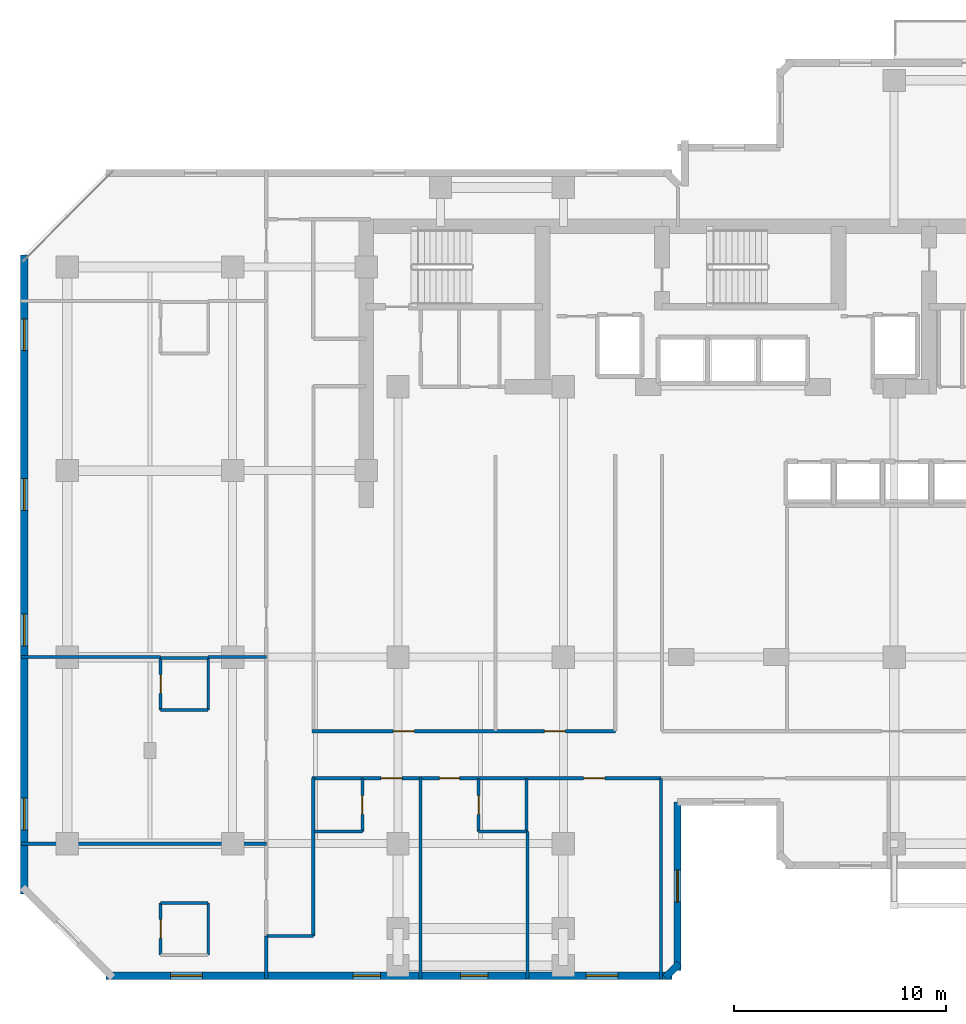
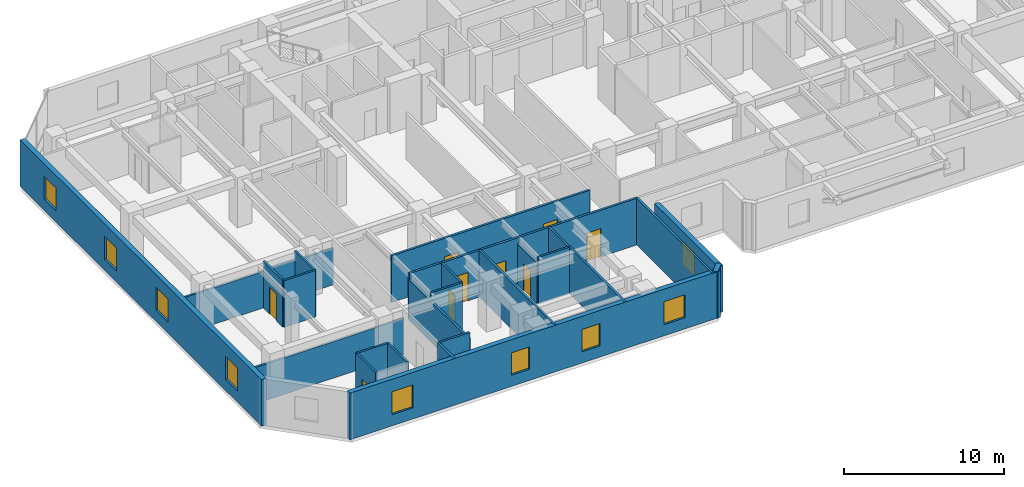
# One storey, part 5 of 10: 27 walls, 9 doors, 9 windows, 18 openings.
"""IFC4 building model written with IfcOpenShell, lengths in metres."""

from ifc_helpers import new_model, si_unit, direction, frame, frame_2d, origin, place, context, subcontext, project, spatial, rectangle, extrude, material, layer, layer_set, type_object, element, fill, save


model = new_model("IFC4")

# Units and contexts
model_context = context("Model", 3, precision=1e-05, world=origin(), true_north=direction((0.0, 1.0)))
body_context = subcontext(model_context, "Body", "Model", "MODEL_VIEW")
ifc_project = project(units=[si_unit("LENGTHUNIT", "METRE"), si_unit("AREAUNIT", "SQUARE_METRE"), si_unit("VOLUMEUNIT", "CUBIC_METRE"), si_unit("PLANEANGLEUNIT", "RADIAN"), si_unit("MASSUNIT", "GRAM", prefix="KILO")], contexts=[model_context])

# Site, building, storey
site_placement = place(None, origin())
site = spatial("IfcSite", under=ifc_project, at=site_placement, CompositionType="ELEMENT")
building_placement = place(site_placement, origin())
building = spatial("IfcBuilding", under=site, at=building_placement, Name="Kestravale Grand Hotel", CompositionType="ELEMENT")
storey_placement = place(building_placement, frame((0.0, 0.0, 153.60009765625)))
storey = spatial("IfcBuildingStorey", under=building, at=storey_placement, Name="L38", CompositionType="ELEMENT", Elevation=153.60009765625)

# Wall, openings, windows
ifc_material_1 = material(Name="Precast concrete f'c 45 MPa", Category="concrete")
ifc_layer_1 = layer(ifc_material_1, 0.340087890625)
ifc_layer_set_1 = layer_set([ifc_layer_1], Name="EW-PREC-340")
wall_type_1 = type_object("IfcWallType", Name="EW-PREC-340", PredefinedType="SOLIDWALL", material=ifc_layer_set_1)
wall_1_placement = place(storey_placement, frame((9.6298828125, 4.969970703125, 0.0), z_axis=(0.0, 0.0, 1.0), x_axis=(1.0, 0.0, 0.0)))
wall_1 = element("IfcWall", 1, at=wall_1_placement, inside=storey, type_object=wall_type_1, Name="L38 fluted precast facade wall 1", PredefinedType="SOLIDWALL", context=body_context, shape_type="SweptSolid", body=[
    extrude(rectangle(XDim=26.690185546875, YDim=0.340087890625, at=frame_2d((13.34521484375, 0.0))), origin(), (0.0, 0.0, 1.0), 3.5498046875),
])
opening_1_placement = place(wall_1_placement, frame((3.04833984375, 0.0, 0.85009765625)))
opening_1 = element("IfcOpeningElement", 2, at=opening_1_placement, cuts=wall_1, Name="Opening W-GUEST-1500", PredefinedType="OPENING", context=body_context, shape_type="SweptSolid", body=[
    extrude(rectangle(XDim=1.5, YDim=1.75, at=frame_2d((0.75, 0.875))), frame((0.0, 0.179931640625, 0.0), z_axis=(0.0, -1.0, 0.0), x_axis=(1.0, 0.0, 0.0)), (0.0, 0.0, 1.0), 0.360107421875),
])
opening_2_placement = place(wall_1_placement, frame((22.6416015625, 0.0, 0.85009765625)))
opening_2 = element("IfcOpeningElement", 3, at=opening_2_placement, cuts=wall_1, Name="Opening W-GUEST-1500", PredefinedType="OPENING", context=body_context, shape_type="SweptSolid", body=[
    extrude(rectangle(XDim=1.5, YDim=1.75, at=frame_2d((0.75, 0.875))), frame((0.0, 0.179931640625, 0.0), z_axis=(0.0, -1.0, 0.0), x_axis=(1.0, 0.0, 0.0)), (0.0, 0.0, 1.0), 0.360107421875),
])
opening_3_placement = place(wall_1_placement, frame((11.655029296875, 0.0, 0.85009765625)))
opening_3 = element("IfcOpeningElement", 4, at=opening_3_placement, cuts=wall_1, Name="Opening W-GUEST-1300", PredefinedType="OPENING", context=body_context, shape_type="SweptSolid", body=[
    extrude(rectangle(XDim=1.300048828125, YDim=1.699951171875, at=frame_2d((0.64990234375, 0.85009765625))), frame((0.0, 0.179931640625, 0.0), z_axis=(0.0, -1.0, 0.0), x_axis=(1.0, 0.0, 0.0)), (0.0, 0.0, 1.0), 0.360107421875),
])
opening_4_placement = place(wall_1_placement, frame((16.715087890625, 0.0, 0.85009765625)))
opening_4 = element("IfcOpeningElement", 5, at=opening_4_placement, cuts=wall_1, Name="Opening W-GUEST-1300", PredefinedType="OPENING", context=body_context, shape_type="SweptSolid", body=[
    extrude(rectangle(XDim=1.300048828125, YDim=1.699951171875, at=frame_2d((0.64990234375, 0.85009765625))), frame((0.0, 0.179931640625, 0.0), z_axis=(0.0, -1.0, 0.0), x_axis=(1.0, 0.0, 0.0)), (0.0, 0.0, 1.0), 0.360107421875),
])
ifc_material_2 = material(Name="Insulated low-E double glazing in aluminium frame", Category="aluminium")
window_type_1 = type_object("IfcWindowType", Name="W-GUEST-1300", PartitioningType="SINGLE_PANEL", PredefinedType="WINDOW", material=ifc_material_2)
window_1_placement = place(opening_3_placement, origin())
window_1 = element("IfcWindow", 6, at=window_1_placement, inside=storey, type_object=window_type_1, Name="L38 guestroom envelope window 1", OverallHeight=1.699951171875, OverallWidth=1.300048828125, PartitioningType="SINGLE_PANEL", PredefinedType="WINDOW", context=body_context, shape_type="SweptSolid", body=[
    extrude(rectangle(XDim=1.300048828125, YDim=1.699951171875, at=frame_2d((0.64990234375, 0.85009765625))), frame((0.0, 0.030029296875, 0.0), z_axis=(0.0, -1.0, 0.0), x_axis=(1.0, 0.0, 0.0)), (0.0, 0.0, 1.0), 0.06005859375),
])
fill(opening_3, window_1)
window_2_placement = place(opening_4_placement, origin())
window_2 = element("IfcWindow", 7, at=window_2_placement, inside=storey, type_object=window_type_1, Name="L38 guestroom envelope window 2", OverallHeight=1.699951171875, OverallWidth=1.300048828125, PartitioningType="SINGLE_PANEL", PredefinedType="WINDOW", context=body_context, shape_type="SweptSolid", body=[
    extrude(rectangle(XDim=1.300048828125, YDim=1.699951171875, at=frame_2d((0.64990234375, 0.85009765625))), frame((0.0, 0.030029296875, 0.0), z_axis=(0.0, -1.0, 0.0), x_axis=(1.0, 0.0, 0.0)), (0.0, 0.0, 1.0), 0.06005859375),
])
fill(opening_4, window_2)
ifc_material_3 = material(Name="Insulated low-E double glazing in aluminium frame", Category="aluminium")
window_type_2 = type_object("IfcWindowType", Name="W-GUEST-1500", PartitioningType="SINGLE_PANEL", PredefinedType="WINDOW", material=ifc_material_3)
window_3_placement = place(opening_1_placement, origin())
window_3 = element("IfcWindow", 8, at=window_3_placement, inside=storey, type_object=window_type_2, Name="L38 exterior window 1.1", OverallHeight=1.75, OverallWidth=1.5, PartitioningType="SINGLE_PANEL", PredefinedType="WINDOW", context=body_context, shape_type="SweptSolid", body=[
    extrude(rectangle(XDim=1.5, YDim=1.75, at=frame_2d((0.75, 0.875))), frame((0.0, 0.030029296875, 0.0), z_axis=(0.0, -1.0, 0.0), x_axis=(1.0, 0.0, 0.0)), (0.0, 0.0, 1.0), 0.06005859375),
])
fill(opening_1, window_3)
window_4_placement = place(opening_2_placement, origin())
window_4 = element("IfcWindow", 9, at=window_4_placement, inside=storey, type_object=window_type_2, Name="L38 exterior window 1.2", OverallHeight=1.75, OverallWidth=1.5, PartitioningType="SINGLE_PANEL", PredefinedType="WINDOW", context=body_context, shape_type="SweptSolid", body=[
    extrude(rectangle(XDim=1.5, YDim=1.75, at=frame_2d((0.75, 0.875))), frame((0.0, 0.030029296875, 0.0), z_axis=(0.0, -1.0, 0.0), x_axis=(1.0, 0.0, 0.0)), (0.0, 0.0, 1.0), 0.06005859375),
])
fill(opening_2, window_4)

# Wall
wall_2_placement = place(storey_placement, frame((36.00146484375, 4.891845703125, 0.0), z_axis=(0.0, 0.0, 1.0), x_axis=(0.707106781187, 0.707106781187, 0.0)))
element("IfcWall", 10, at=wall_2_placement, inside=storey, type_object=wall_type_1, Name="L38 fluted precast facade wall 2", PredefinedType="SOLIDWALL", context=body_context, shape_type="SweptSolid", body=[
    extrude(rectangle(XDim=0.9287109375, YDim=0.340087890625, at=frame_2d((0.46435546875, 0.0))), origin(), (0.0, 0.0, 1.0), 3.5498046875),
])

# Wall, opening, window
wall_3_placement = place(storey_placement, frame((36.580078125, 5.22998046875, 0.0), z_axis=(0.0, 0.0, 1.0), x_axis=(0.0, 1.0, 0.0)))
wall_3 = element("IfcWall", 11, at=wall_3_placement, inside=storey, type_object=wall_type_1, Name="L38 fluted precast facade wall 3", PredefinedType="SOLIDWALL", context=body_context, shape_type="SweptSolid", body=[
    extrude(rectangle(XDim=7.93994140625, YDim=0.340087890625, at=frame_2d((3.969970703125, 0.0))), origin(), (0.0, 0.0, 1.0), 3.5498046875),
])
opening_5_placement = place(wall_3_placement, frame((3.219970703125, 0.0, 0.85009765625)))
opening_5 = element("IfcOpeningElement", 12, at=opening_5_placement, cuts=wall_3, Name="Opening W-GUEST-1500", PredefinedType="OPENING", context=body_context, shape_type="SweptSolid", body=[
    extrude(rectangle(XDim=1.5, YDim=1.75, at=frame_2d((0.75, 0.875))), frame((0.0, 0.179931640625, 0.0), z_axis=(0.0, -1.0, 0.0), x_axis=(1.0, 0.0, 0.0)), (0.0, 0.0, 1.0), 0.360107421875),
])
window_5_placement = place(opening_5_placement, origin())
window_5 = element("IfcWindow", 13, at=window_5_placement, inside=storey, type_object=window_type_2, Name="L38 exterior window 3.1", OverallHeight=1.75, OverallWidth=1.5, PartitioningType="SINGLE_PANEL", PredefinedType="WINDOW", context=body_context, shape_type="SweptSolid", body=[
    extrude(rectangle(XDim=1.5, YDim=1.75, at=frame_2d((0.75, 0.875))), frame((0.0, 0.030029296875, 0.0), z_axis=(0.0, -1.0, 0.0), x_axis=(1.0, 0.0, 0.0)), (0.0, 0.0, 1.0), 0.06005859375),
])
fill(opening_5, window_5)

# Wall, openings, windows
wall_4_placement = place(storey_placement, frame((5.77001953125, 38.969970703125, 0.0), z_axis=(0.0, 0.0, 1.0), x_axis=(0.0, -1.0, 0.0)))
wall_4 = element("IfcWall", 14, at=wall_4_placement, inside=storey, type_object=wall_type_1, Name="L38 fluted precast facade wall 19", PredefinedType="SOLIDWALL", context=body_context, shape_type="SweptSolid", body=[
    extrude(rectangle(XDim=30.139892578125, YDim=0.340087890625, at=frame_2d((15.06982421875, 0.0))), origin(), (0.0, 0.0, 1.0), 3.5498046875),
])
opening_6_placement = place(wall_4_placement, frame((3.017578125, 0.0, 0.85009765625)))
opening_6 = element("IfcOpeningElement", 15, at=opening_6_placement, cuts=wall_4, Name="Opening W-GUEST-1500", PredefinedType="OPENING", context=body_context, shape_type="SweptSolid", body=[
    extrude(rectangle(XDim=1.5, YDim=1.75, at=frame_2d((0.75, 0.875))), frame((0.0, 0.179931640625, 0.0), z_axis=(0.0, -1.0, 0.0), x_axis=(1.0, 0.0, 0.0)), (0.0, 0.0, 1.0), 0.360107421875),
])
opening_7_placement = place(wall_4_placement, frame((10.552490234375, 0.0, 0.85009765625)))
opening_7 = element("IfcOpeningElement", 16, at=opening_7_placement, cuts=wall_4, Name="Opening W-GUEST-1500", PredefinedType="OPENING", context=body_context, shape_type="SweptSolid", body=[
    extrude(rectangle(XDim=1.5, YDim=1.75, at=frame_2d((0.75, 0.875))), frame((0.0, 0.179931640625, 0.0), z_axis=(0.0, -1.0, 0.0), x_axis=(1.0, 0.0, 0.0)), (0.0, 0.0, 1.0), 0.360107421875),
])
opening_8_placement = place(wall_4_placement, frame((16.9375, 0.0, 0.85009765625)))
opening_8 = element("IfcOpeningElement", 17, at=opening_8_placement, cuts=wall_4, Name="Opening W-GUEST-1500", PredefinedType="OPENING", context=body_context, shape_type="SweptSolid", body=[
    extrude(rectangle(XDim=1.5, YDim=1.75, at=frame_2d((0.75, 0.875))), frame((0.0, 0.179931640625, 0.0), z_axis=(0.0, -1.0, 0.0), x_axis=(1.0, 0.0, 0.0)), (0.0, 0.0, 1.0), 0.360107421875),
])
opening_9_placement = place(wall_4_placement, frame((25.62255859375, 0.0, 0.85009765625)))
opening_9 = element("IfcOpeningElement", 18, at=opening_9_placement, cuts=wall_4, Name="Opening W-GUEST-1500", PredefinedType="OPENING", context=body_context, shape_type="SweptSolid", body=[
    extrude(rectangle(XDim=1.5, YDim=1.75, at=frame_2d((0.75, 0.875))), frame((0.0, 0.179931640625, 0.0), z_axis=(0.0, -1.0, 0.0), x_axis=(1.0, 0.0, 0.0)), (0.0, 0.0, 1.0), 0.360107421875),
])
window_6_placement = place(opening_6_placement, origin())
window_6 = element("IfcWindow", 19, at=window_6_placement, inside=storey, type_object=window_type_2, Name="L38 exterior window 19.1", OverallHeight=1.75, OverallWidth=1.5, PartitioningType="SINGLE_PANEL", PredefinedType="WINDOW", context=body_context, shape_type="SweptSolid", body=[
    extrude(rectangle(XDim=1.5, YDim=1.75, at=frame_2d((0.75, 0.875))), frame((0.0, 0.030029296875, 0.0), z_axis=(0.0, -1.0, 0.0), x_axis=(1.0, 0.0, 0.0)), (0.0, 0.0, 1.0), 0.06005859375),
])
fill(opening_6, window_6)
window_7_placement = place(opening_7_placement, origin())
window_7 = element("IfcWindow", 20, at=window_7_placement, inside=storey, type_object=window_type_2, Name="L38 exterior window 19.2", OverallHeight=1.75, OverallWidth=1.5, PartitioningType="SINGLE_PANEL", PredefinedType="WINDOW", context=body_context, shape_type="SweptSolid", body=[
    extrude(rectangle(XDim=1.5, YDim=1.75, at=frame_2d((0.75, 0.875))), frame((0.0, 0.030029296875, 0.0), z_axis=(0.0, -1.0, 0.0), x_axis=(1.0, 0.0, 0.0)), (0.0, 0.0, 1.0), 0.06005859375),
])
fill(opening_7, window_7)
window_8_placement = place(opening_8_placement, origin())
window_8 = element("IfcWindow", 21, at=window_8_placement, inside=storey, type_object=window_type_2, Name="L38 exterior window 19.3", OverallHeight=1.75, OverallWidth=1.5, PartitioningType="SINGLE_PANEL", PredefinedType="WINDOW", context=body_context, shape_type="SweptSolid", body=[
    extrude(rectangle(XDim=1.5, YDim=1.75, at=frame_2d((0.75, 0.875))), frame((0.0, 0.030029296875, 0.0), z_axis=(0.0, -1.0, 0.0), x_axis=(1.0, 0.0, 0.0)), (0.0, 0.0, 1.0), 0.06005859375),
])
fill(opening_8, window_8)
window_9_placement = place(opening_9_placement, origin())
window_9 = element("IfcWindow", 22, at=window_9_placement, inside=storey, type_object=window_type_2, Name="L38 exterior window 19.4", OverallHeight=1.75, OverallWidth=1.5, PartitioningType="SINGLE_PANEL", PredefinedType="WINDOW", context=body_context, shape_type="SweptSolid", body=[
    extrude(rectangle(XDim=1.5, YDim=1.75, at=frame_2d((0.75, 0.875))), frame((0.0, 0.030029296875, 0.0), z_axis=(0.0, -1.0, 0.0), x_axis=(1.0, 0.0, 0.0)), (0.0, 0.0, 1.0), 0.06005859375),
])
fill(opening_9, window_9)

# Wall, openings, doors
ifc_material_4 = material(Name="Acoustic fire-rated gypsum board partition", Category="other")
ifc_layer_2 = layer(ifc_material_4, 0.159912109375)
ifc_layer_set_2 = layer_set([ifc_layer_2], Name="IW-CORR-160")
wall_type_2 = type_object("IfcWallType", Name="IW-CORR-160", PredefinedType="PARTITIONING", material=ifc_layer_set_2)
wall_5_placement = place(storey_placement, frame((19.35009765625, 16.510009765625, 0.0), z_axis=(0.0, 0.0, 1.0), x_axis=(1.0, 0.0, 0.0)))
wall_5 = element("IfcWall", 23, at=wall_5_placement, inside=storey, type_object=wall_type_2, Name="W-L38-CW-N", PredefinedType="PARTITIONING", context=body_context, shape_type="SweptSolid", body=[
    extrude(rectangle(XDim=14.2998046875, YDim=0.159912109375, at=frame_2d((7.14990234375, 0.0))), origin(), (0.0, 0.0, 1.0), 3.5498046875),
])
opening_10_placement = place(wall_5_placement, frame((3.824951171875, 0.0, 0.0)))
opening_10 = element("IfcOpeningElement", 24, at=opening_10_placement, cuts=wall_5, Name="Opening D-GUEST-1000", PredefinedType="OPENING", context=body_context, shape_type="SweptSolid", body=[
    extrude(rectangle(XDim=1.0, YDim=2.14990234375, at=frame_2d((0.5, 1.074951171875))), frame((0.0, 0.08984375, 0.0), z_axis=(0.0, -1.0, 0.0), x_axis=(1.0, 0.0, 0.0)), (0.0, 0.0, 1.0), 0.179931640625),
])
opening_11_placement = place(wall_5_placement, frame((10.949951171875, 0.0, 0.0)))
opening_11 = element("IfcOpeningElement", 25, at=opening_11_placement, cuts=wall_5, Name="Opening D-GUEST-1000", PredefinedType="OPENING", context=body_context, shape_type="SweptSolid", body=[
    extrude(rectangle(XDim=1.0, YDim=2.14990234375, at=frame_2d((0.5, 1.074951171875))), frame((0.0, 0.08984375, 0.0), z_axis=(0.0, -1.0, 0.0), x_axis=(1.0, 0.0, 0.0)), (0.0, 0.0, 1.0), 0.179931640625),
])
ifc_material_5 = material(Name="Accessible walnut veneer hotel entrance fire door", Category="wood")
door_type_1 = type_object("IfcDoorType", Name="D-GUEST-1000", OperationType="NOTDEFINED", PredefinedType="DOOR", material=ifc_material_5)
door_1_placement = place(opening_10_placement, origin())
door_1 = element("IfcDoor", 26, at=door_1_placement, inside=storey, type_object=door_type_1, Name="D-L38-RECL-W1", OperationType="SINGLE_SWING_LEFT", OverallHeight=2.14990234375, OverallWidth=1.0, PredefinedType="DOOR", context=body_context, shape_type="SweptSolid", body=[
    extrude(rectangle(XDim=1.0, YDim=2.14990234375, at=frame_2d((0.5, 1.074951171875))), frame((0.0, 0.02490234375, 0.0), z_axis=(0.0, -1.0, 0.0), x_axis=(1.0, 0.0, 0.0)), (0.0, 0.0, 1.0), 0.050048828125),
])
fill(opening_10, door_1)
door_2_placement = place(opening_11_placement, origin())
door_2 = element("IfcDoor", 27, at=door_2_placement, inside=storey, type_object=door_type_1, Name="D-L38-RECL-W2", OperationType="SINGLE_SWING_RIGHT", OverallHeight=2.14990234375, OverallWidth=1.0, PredefinedType="DOOR", context=body_context, shape_type="SweptSolid", body=[
    extrude(rectangle(XDim=1.0, YDim=2.14990234375, at=frame_2d((0.5, 1.074951171875))), frame((0.0, 0.02490234375, 0.0), z_axis=(0.0, -1.0, 0.0), x_axis=(1.0, 0.0, 0.0)), (0.0, 0.0, 1.0), 0.050048828125),
])
fill(opening_11, door_2)

wall_6_placement = place(storey_placement, frame((19.35009765625, 14.2900390625, 0.0), z_axis=(0.0, 0.0, 1.0), x_axis=(1.0, 0.0, 0.0)))
wall_6 = element("IfcWall", 28, at=wall_6_placement, inside=storey, type_object=wall_type_2, Name="W-L38-CW-S", PredefinedType="PARTITIONING", context=body_context, shape_type="SweptSolid", body=[
    extrude(rectangle(XDim=16.449951171875, YDim=0.159912109375, at=frame_2d((8.22509765625, 0.0))), origin(), (0.0, 0.0, 1.0), 3.5498046875),
])
opening_12_placement = place(wall_6_placement, frame((3.239990234375, 0.0, 0.0)))
opening_12 = element("IfcOpeningElement", 29, at=opening_12_placement, cuts=wall_6, Name="Opening D-GUEST-1000", PredefinedType="OPENING", context=body_context, shape_type="SweptSolid", body=[
    extrude(rectangle(XDim=1.0, YDim=2.14990234375, at=frame_2d((0.5, 1.074951171875))), frame((0.0, 0.08984375, 0.0), z_axis=(0.0, -1.0, 0.0), x_axis=(1.0, 0.0, 0.0)), (0.0, 0.0, 1.0), 0.179931640625),
])
opening_13_placement = place(wall_6_placement, frame((6.0048828125, 0.0, 0.0)))
opening_13 = element("IfcOpeningElement", 30, at=opening_13_placement, cuts=wall_6, Name="Opening D-GUEST-950", PredefinedType="OPENING", context=body_context, shape_type="SweptSolid", body=[
    extrude(rectangle(XDim=0.949951171875, YDim=2.10009765625, at=frame_2d((0.47509765625, 1.050048828125))), frame((0.0, 0.08984375, 0.0), z_axis=(0.0, -1.0, 0.0), x_axis=(1.0, 0.0, 0.0)), (0.0, 0.0, 1.0), 0.179931640625),
])
opening_14_placement = place(wall_6_placement, frame((12.804931640625, 0.0, 0.0)))
opening_14 = element("IfcOpeningElement", 31, at=opening_14_placement, cuts=wall_6, Name="Opening D-GUEST-1000", PredefinedType="OPENING", context=body_context, shape_type="SweptSolid", body=[
    extrude(rectangle(XDim=1.0, YDim=2.14990234375, at=frame_2d((0.5, 1.074951171875))), frame((0.0, 0.08984375, 0.0), z_axis=(0.0, -1.0, 0.0), x_axis=(1.0, 0.0, 0.0)), (0.0, 0.0, 1.0), 0.179931640625),
])
door_3_placement = place(opening_12_placement, origin())
door_3 = element("IfcDoor", 32, at=door_3_placement, inside=storey, type_object=door_type_1, Name="D-L38-U01-ENT", OperationType="SINGLE_SWING_RIGHT", OverallHeight=2.14990234375, OverallWidth=1.0, PredefinedType="DOOR", context=body_context, shape_type="SweptSolid", body=[
    extrude(rectangle(XDim=1.0, YDim=2.14990234375, at=frame_2d((0.5, 1.074951171875))), frame((0.0, 0.02490234375, 0.0), z_axis=(0.0, -1.0, 0.0), x_axis=(1.0, 0.0, 0.0)), (0.0, 0.0, 1.0), 0.050048828125),
])
fill(opening_12, door_3)
door_4_placement = place(opening_14_placement, origin())
door_4 = element("IfcDoor", 33, at=door_4_placement, inside=storey, type_object=door_type_1, Name="D-L38-AMW", OperationType="SINGLE_SWING_LEFT", OverallHeight=2.14990234375, OverallWidth=1.0, PredefinedType="DOOR", context=body_context, shape_type="SweptSolid", body=[
    extrude(rectangle(XDim=1.0, YDim=2.14990234375, at=frame_2d((0.5, 1.074951171875))), frame((0.0, 0.02490234375, 0.0), z_axis=(0.0, -1.0, 0.0), x_axis=(1.0, 0.0, 0.0)), (0.0, 0.0, 1.0), 0.050048828125),
])
fill(opening_14, door_4)
ifc_material_6 = material(Name="Walnut veneer hotel guestroom entrance fire door", Category="wood")
door_type_2 = type_object("IfcDoorType", Name="D-GUEST-950", OperationType="NOTDEFINED", PredefinedType="DOOR", material=ifc_material_6)
door_5_placement = place(opening_13_placement, origin())
door_5 = element("IfcDoor", 34, at=door_5_placement, inside=storey, type_object=door_type_2, Name="D-L38-U02-ENT", OperationType="SINGLE_SWING_RIGHT", OverallHeight=2.10009765625, OverallWidth=0.949951171875, PredefinedType="DOOR", context=body_context, shape_type="SweptSolid", body=[
    extrude(rectangle(XDim=0.949951171875, YDim=2.10009765625, at=frame_2d((0.47509765625, 1.050048828125))), frame((0.0, 0.02490234375, 0.0), z_axis=(0.0, -1.0, 0.0), x_axis=(1.0, 0.0, 0.0)), (0.0, 0.0, 1.0), 0.050048828125),
])
fill(opening_13, door_5)

# Wall
wall_7_placement = place(storey_placement, frame((19.409912109375, 6.85009765625, 0.0), z_axis=(0.0, 0.0, 1.0), x_axis=(0.0, 1.0, 0.0)))
element("IfcWall", 35, at=wall_7_placement, inside=storey, type_object=wall_type_2, Name="W-L38-SW-E", PredefinedType="PARTITIONING", context=body_context, shape_type="SweptSolid", body=[
    extrude(rectangle(XDim=7.43994140625, YDim=0.159912109375, at=frame_2d((3.719970703125, 0.0))), origin(), (0.0, 0.0, 1.0), 3.093017578125),
])

# Wall, opening, door
ifc_material_7 = material(Name="Moisture-resistant tile-backer plumbing chase wall", Category="other")
ifc_layer_3 = layer(ifc_material_7, 0.139892578125)
ifc_layer_set_3 = layer_set([ifc_layer_3], Name="IW-PLB-140")
wall_type_3 = type_object("IfcWallType", Name="IW-PLB-140", PredefinedType="PLUMBINGWALL", material=ifc_layer_set_3)
wall_8_placement = place(storey_placement, frame((21.719970703125, 11.780029296875, 0.0), z_axis=(0.0, 0.0, 1.0), x_axis=(0.0, 1.0, 0.0)))
wall_8 = element("IfcWall", 36, at=wall_8_placement, inside=storey, type_object=wall_type_3, Name="W-L38-U01-BE", PredefinedType="PLUMBINGWALL", context=body_context, shape_type="SweptSolid", body=[
    extrude(rectangle(XDim=2.489990234375, YDim=0.139892578125, at=frame_2d((1.2451171875, 0.0))), origin(), (0.0, 0.0, 1.0), 3.5498046875),
])
opening_15_placement = place(wall_8_placement, frame((0.804931640625, 0.0, 0.0)))
opening_15 = element("IfcOpeningElement", 37, at=opening_15_placement, cuts=wall_8, Name="Opening D-BATH-880", PredefinedType="OPENING", context=body_context, shape_type="SweptSolid", body=[
    extrude(rectangle(XDim=0.8798828125, YDim=2.050048828125, at=frame_2d((0.43994140625, 1.02490234375))), frame((0.0, 0.079833984375, 0.0), z_axis=(0.0, -1.0, 0.0), x_axis=(1.0, 0.0, 0.0)), (0.0, 0.0, 1.0), 0.159912109375),
])
ifc_material_8 = material(Name="Moisture-sealed walnut en-suite bathroom door", Category="wood")
door_type_3 = type_object("IfcDoorType", Name="D-BATH-880", OperationType="NOTDEFINED", PredefinedType="DOOR", material=ifc_material_8)
door_6_placement = place(opening_15_placement, origin())
door_6 = element("IfcDoor", 38, at=door_6_placement, inside=storey, type_object=door_type_3, Name="D-L38-U01-BATH", OperationType="SINGLE_SWING_LEFT", OverallHeight=2.050048828125, OverallWidth=0.8798828125, PredefinedType="DOOR", context=body_context, shape_type="SweptSolid", body=[
    extrude(rectangle(XDim=0.8798828125, YDim=2.050048828125, at=frame_2d((0.43994140625, 1.02490234375))), frame((0.0, 0.02490234375, 0.0), z_axis=(0.0, -1.0, 0.0), x_axis=(1.0, 0.0, 0.0)), (0.0, 0.0, 1.0), 0.050048828125),
])
fill(opening_15, door_6)

# Wall
wall_9_placement = place(storey_placement, frame((19.469970703125, 11.780029296875, 0.0), z_axis=(0.0, 0.0, 1.0), x_axis=(1.0, 0.0, 0.0)))
element("IfcWall", 39, at=wall_9_placement, inside=storey, type_object=wall_type_3, Name="W-L38-U01-BS", PredefinedType="PLUMBINGWALL", context=body_context, shape_type="SweptSolid", body=[
    extrude(rectangle(XDim=2.25, YDim=0.139892578125, at=frame_2d((1.125, 0.0))), origin(), (0.0, 0.0, 1.0), 3.5498046875),
])

# Wall, opening, door
wall_10_placement = place(storey_placement, frame((27.199951171875, 11.780029296875, 0.0), z_axis=(0.0, 0.0, 1.0), x_axis=(0.0, 1.0, 0.0)))
wall_10 = element("IfcWall", 40, at=wall_10_placement, inside=storey, type_object=wall_type_3, Name="W-L38-U02-BW", PredefinedType="PLUMBINGWALL", context=body_context, shape_type="SweptSolid", body=[
    extrude(rectangle(XDim=2.489990234375, YDim=0.139892578125, at=frame_2d((1.2451171875, 0.0))), origin(), (0.0, 0.0, 1.0), 3.093017578125),
])
opening_16_placement = place(wall_10_placement, frame((0.804931640625, 0.0, 0.0)))
opening_16 = element("IfcOpeningElement", 41, at=opening_16_placement, cuts=wall_10, Name="Opening D-BATH-880", PredefinedType="OPENING", context=body_context, shape_type="SweptSolid", body=[
    extrude(rectangle(XDim=0.8798828125, YDim=2.050048828125, at=frame_2d((0.43994140625, 1.02490234375))), frame((0.0, 0.079833984375, 0.0), z_axis=(0.0, -1.0, 0.0), x_axis=(1.0, 0.0, 0.0)), (0.0, 0.0, 1.0), 0.159912109375),
])
door_7_placement = place(opening_16_placement, origin())
door_7 = element("IfcDoor", 42, at=door_7_placement, inside=storey, type_object=door_type_3, Name="D-L38-U02-BATH", OperationType="SINGLE_SWING_LEFT", OverallHeight=2.050048828125, OverallWidth=0.8798828125, PredefinedType="DOOR", context=body_context, shape_type="SweptSolid", body=[
    extrude(rectangle(XDim=0.8798828125, YDim=2.050048828125, at=frame_2d((0.43994140625, 1.02490234375))), frame((0.0, 0.02490234375, 0.0), z_axis=(0.0, -1.0, 0.0), x_axis=(1.0, 0.0, 0.0)), (0.0, 0.0, 1.0), 0.050048828125),
])
fill(opening_16, door_7)

# Walls
wall_11_placement = place(storey_placement, frame((29.449951171875, 11.780029296875, 0.0), z_axis=(0.0, 0.0, 1.0), x_axis=(0.0, 1.0, 0.0)))
element("IfcWall", 43, at=wall_11_placement, inside=storey, type_object=wall_type_3, Name="W-L38-U02-BE", PredefinedType="PLUMBINGWALL", context=body_context, shape_type="SweptSolid", body=[
    extrude(rectangle(XDim=2.489990234375, YDim=0.139892578125, at=frame_2d((1.2451171875, 0.0))), origin(), (0.0, 0.0, 1.0), 3.5498046875),
])
wall_12_placement = place(storey_placement, frame((27.199951171875, 11.780029296875, 0.0), z_axis=(0.0, 0.0, 1.0), x_axis=(1.0, 0.0, 0.0)))
element("IfcWall", 44, at=wall_12_placement, inside=storey, type_object=wall_type_3, Name="W-L38-U02-BS", PredefinedType="PLUMBINGWALL", context=body_context, shape_type="SweptSolid", body=[
    extrude(rectangle(XDim=2.25, YDim=0.139892578125, at=frame_2d((1.125, 0.0))), origin(), (0.0, 0.0, 1.0), 3.5498046875),
])

# Wall, opening, door
wall_13_placement = place(storey_placement, frame((12.199951171875, 5.949951171875, 0.0), z_axis=(0.0, 0.0, 1.0), x_axis=(0.0, 1.0, 0.0)))
wall_13 = element("IfcWall", 45, at=wall_13_placement, inside=storey, type_object=wall_type_3, Name="W-L38-U03-BW", PredefinedType="PLUMBINGWALL", context=body_context, shape_type="SweptSolid", body=[
    extrude(rectangle(XDim=2.449951171875, YDim=0.139892578125, at=frame_2d((1.22509765625, 0.0))), origin(), (0.0, 0.0, 1.0), 3.5498046875),
])
opening_17_placement = place(wall_13_placement, frame((0.784912109375, 0.0, 0.0)))
opening_17 = element("IfcOpeningElement", 46, at=opening_17_placement, cuts=wall_13, Name="Opening D-BATH-880", PredefinedType="OPENING", context=body_context, shape_type="SweptSolid", body=[
    extrude(rectangle(XDim=0.8798828125, YDim=2.050048828125, at=frame_2d((0.43994140625, 1.02490234375))), frame((0.0, 0.079833984375, 0.0), z_axis=(0.0, -1.0, 0.0), x_axis=(1.0, 0.0, 0.0)), (0.0, 0.0, 1.0), 0.159912109375),
])
door_8_placement = place(opening_17_placement, origin())
door_8 = element("IfcDoor", 47, at=door_8_placement, inside=storey, type_object=door_type_3, Name="D-L38-U03-BATH", OperationType="SINGLE_SWING_LEFT", OverallHeight=2.050048828125, OverallWidth=0.8798828125, PredefinedType="DOOR", context=body_context, shape_type="SweptSolid", body=[
    extrude(rectangle(XDim=0.8798828125, YDim=2.050048828125, at=frame_2d((0.43994140625, 1.02490234375))), frame((0.0, 0.02490234375, 0.0), z_axis=(0.0, -1.0, 0.0), x_axis=(1.0, 0.0, 0.0)), (0.0, 0.0, 1.0), 0.050048828125),
])
fill(opening_17, door_8)

# Walls
wall_14_placement = place(storey_placement, frame((14.449951171875, 5.949951171875, 0.0), z_axis=(0.0, 0.0, 1.0), x_axis=(0.0, 1.0, 0.0)))
element("IfcWall", 48, at=wall_14_placement, inside=storey, type_object=wall_type_3, Name="W-L38-U03-BE", PredefinedType="PLUMBINGWALL", context=body_context, shape_type="SweptSolid", body=[
    extrude(rectangle(XDim=2.449951171875, YDim=0.139892578125, at=frame_2d((1.22509765625, 0.0))), origin(), (0.0, 0.0, 1.0), 3.5498046875),
])
wall_15_placement = place(storey_placement, frame((12.199951171875, 8.39990234375, 0.0), z_axis=(0.0, 0.0, 1.0), x_axis=(1.0, 0.0, 0.0)))
element("IfcWall", 49, at=wall_15_placement, inside=storey, type_object=wall_type_3, Name="W-L38-U03-BN", PredefinedType="PLUMBINGWALL", context=body_context, shape_type="SweptSolid", body=[
    extrude(rectangle(XDim=2.25, YDim=0.139892578125, at=frame_2d((1.125, 0.0))), origin(), (0.0, 0.0, 1.0), 3.5498046875),
])

# Wall, opening, door
wall_16_placement = place(storey_placement, frame((12.199951171875, 17.510009765625, 0.0), z_axis=(0.0, 0.0, 1.0), x_axis=(0.0, 1.0, 0.0)))
wall_16 = element("IfcWall", 50, at=wall_16_placement, inside=storey, type_object=wall_type_3, Name="W-L38-U04-BW", PredefinedType="PLUMBINGWALL", context=body_context, shape_type="SweptSolid", body=[
    extrude(rectangle(XDim=2.449951171875, YDim=0.139892578125, at=frame_2d((1.22509765625, 0.0))), origin(), (0.0, 0.0, 1.0), 3.5498046875),
])
opening_18_placement = place(wall_16_placement, frame((0.784912109375, 0.0, 0.0)))
opening_18 = element("IfcOpeningElement", 51, at=opening_18_placement, cuts=wall_16, Name="Opening D-BATH-880", PredefinedType="OPENING", context=body_context, shape_type="SweptSolid", body=[
    extrude(rectangle(XDim=0.8798828125, YDim=2.050048828125, at=frame_2d((0.43994140625, 1.02490234375))), frame((0.0, 0.079833984375, 0.0), z_axis=(0.0, -1.0, 0.0), x_axis=(1.0, 0.0, 0.0)), (0.0, 0.0, 1.0), 0.159912109375),
])
door_9_placement = place(opening_18_placement, origin())
door_9 = element("IfcDoor", 52, at=door_9_placement, inside=storey, type_object=door_type_3, Name="D-L38-U04-BATH", OperationType="SINGLE_SWING_LEFT", OverallHeight=2.050048828125, OverallWidth=0.8798828125, PredefinedType="DOOR", context=body_context, shape_type="SweptSolid", body=[
    extrude(rectangle(XDim=0.8798828125, YDim=2.050048828125, at=frame_2d((0.43994140625, 1.02490234375))), frame((0.0, 0.02490234375, 0.0), z_axis=(0.0, -1.0, 0.0), x_axis=(1.0, 0.0, 0.0)), (0.0, 0.0, 1.0), 0.050048828125),
])
fill(opening_18, door_9)

# Walls
wall_17_placement = place(storey_placement, frame((14.449951171875, 17.510009765625, 0.0), z_axis=(0.0, 0.0, 1.0), x_axis=(0.0, 1.0, 0.0)))
element("IfcWall", 53, at=wall_17_placement, inside=storey, type_object=wall_type_3, Name="W-L38-U04-BE", PredefinedType="PLUMBINGWALL", context=body_context, shape_type="SweptSolid", body=[
    extrude(rectangle(XDim=2.449951171875, YDim=0.139892578125, at=frame_2d((1.22509765625, 0.0))), origin(), (0.0, 0.0, 1.0), 3.5498046875),
])
wall_18_placement = place(storey_placement, frame((12.199951171875, 17.510009765625, 0.0), z_axis=(0.0, 0.0, 1.0), x_axis=(1.0, 0.0, 0.0)))
element("IfcWall", 54, at=wall_18_placement, inside=storey, type_object=wall_type_3, Name="W-L38-U04-BS", PredefinedType="PLUMBINGWALL", context=body_context, shape_type="SweptSolid", body=[
    extrude(rectangle(XDim=2.25, YDim=0.139892578125, at=frame_2d((1.125, 0.0))), origin(), (0.0, 0.0, 1.0), 3.5498046875),
])
wall_19_placement = place(storey_placement, frame((12.199951171875, 19.9599609375, 0.0), z_axis=(0.0, 0.0, 1.0), x_axis=(1.0, 0.0, 0.0)))
element("IfcWall", 55, at=wall_19_placement, inside=storey, type_object=wall_type_3, Name="W-L38-U04-BN", PredefinedType="PLUMBINGWALL", context=body_context, shape_type="SweptSolid", body=[
    extrude(rectangle(XDim=2.25, YDim=0.139892578125, at=frame_2d((1.125, 0.0))), origin(), (0.0, 0.0, 1.0), 2.89990234375),
])
ifc_material_9 = material(Name="Double-stud STC 52 acoustic demising partition", Category="other")
ifc_layer_4 = layer(ifc_material_9, 0.14990234375)
ifc_layer_set_4 = layer_set([ifc_layer_4], Name="IW-UNIT-150")
wall_type_4 = type_object("IfcWallType", Name="IW-UNIT-150", PredefinedType="PARTITIONING", material=ifc_layer_set_4)
wall_20_placement = place(storey_placement, frame((17.18994140625, 6.85009765625, 0.0), z_axis=(0.0, 0.0, 1.0), x_axis=(1.0, 0.0, 0.0)))
element("IfcWall", 56, at=wall_20_placement, inside=storey, type_object=wall_type_4, Name="W-L38-SW-S", PredefinedType="PARTITIONING", context=body_context, shape_type="SweptSolid", body=[
    extrude(rectangle(XDim=2.219970703125, YDim=0.14990234375, at=frame_2d((1.10986328125, 0.0))), origin(), (0.0, 0.0, 1.0), 3.5498046875),
])
wall_21_placement = place(storey_placement, frame((24.4599609375, 4.820068359375, 0.0), z_axis=(0.0, 0.0, 1.0), x_axis=(0.0, 1.0, 0.0)))
element("IfcWall", 57, at=wall_21_placement, inside=storey, type_object=wall_type_4, Name="W-L38-WS-1", PredefinedType="PARTITIONING", context=body_context, shape_type="SweptSolid", body=[
    extrude(rectangle(XDim=9.469970703125, YDim=0.14990234375, at=frame_2d((4.73486328125, 0.0))), origin(), (0.0, 0.0, 1.0), 3.5498046875),
])
wall_22_placement = place(storey_placement, frame((29.510009765625, 4.820068359375, 0.0), z_axis=(0.0, 0.0, 1.0), x_axis=(0.0, 1.0, 0.0)))
element("IfcWall", 58, at=wall_22_placement, inside=storey, type_object=wall_type_4, Name="W-L38-WS-2", PredefinedType="PARTITIONING", context=body_context, shape_type="SweptSolid", body=[
    extrude(rectangle(XDim=6.9599609375, YDim=0.14990234375, at=frame_2d((3.47998046875, 0.0))), origin(), (0.0, 0.0, 1.0), 3.5498046875),
])
wall_23_placement = place(storey_placement, frame((35.800048828125, 4.820068359375, 0.0), z_axis=(0.0, 0.0, 1.0), x_axis=(0.0, 1.0, 0.0)))
element("IfcWall", 59, at=wall_23_placement, inside=storey, type_object=wall_type_4, Name="W-L38-MID-S", PredefinedType="PARTITIONING", context=body_context, shape_type="SweptSolid", body=[
    extrude(rectangle(XDim=9.449951171875, YDim=0.14990234375, at=frame_2d((4.72509765625, 0.0))), origin(), (0.0, 0.0, 1.0), 3.5498046875),
])
wall_24_placement = place(storey_placement, frame((17.18994140625, 4.820068359375, 0.0), z_axis=(0.0, 0.0, 1.0), x_axis=(0.0, 1.0, 0.0)))
element("IfcWall", 60, at=wall_24_placement, inside=storey, type_object=wall_type_4, Name="W-L38-SW-EXT", PredefinedType="PARTITIONING", context=body_context, shape_type="SweptSolid", body=[
    extrude(rectangle(XDim=2.030029296875, YDim=0.14990234375, at=frame_2d((1.01513671875, 0.0))), origin(), (0.0, 0.0, 1.0), 3.5498046875),
])
wall_25_placement = place(storey_placement, frame((5.6201171875, 11.199951171875, 0.0), z_axis=(0.0, 0.0, 1.0), x_axis=(1.0, 0.0, 0.0)))
element("IfcWall", 61, at=wall_25_placement, inside=storey, type_object=wall_type_4, Name="W-L38-WW-1", PredefinedType="PARTITIONING", context=body_context, shape_type="SweptSolid", body=[
    extrude(rectangle(XDim=11.56982421875, YDim=0.14990234375, at=frame_2d((5.784912109375, 0.0))), origin(), (0.0, 0.0, 1.0), 2.77783203125),
])
wall_26_placement = place(storey_placement, frame((5.6201171875, 20.0, 0.0), z_axis=(0.0, 0.0, 1.0), x_axis=(1.0, 0.0, 0.0)))
element("IfcWall", 62, at=wall_26_placement, inside=storey, type_object=wall_type_4, Name="W-L38-WW-2", PredefinedType="PARTITIONING", context=body_context, shape_type="SweptSolid", body=[
    extrude(rectangle(XDim=6.579833984375, YDim=0.14990234375, at=frame_2d((3.2900390625, 0.0))), origin(), (0.0, 0.0, 1.0), 2.77783203125),
])
wall_27_placement = place(storey_placement, frame((14.449951171875, 20.0, 0.0), z_axis=(0.0, 0.0, 1.0), x_axis=(1.0, 0.0, 0.0)))
element("IfcWall", 63, at=wall_27_placement, inside=storey, type_object=wall_type_4, Name="W-L38-WW-2", PredefinedType="PARTITIONING", context=body_context, shape_type="SweptSolid", body=[
    extrude(rectangle(XDim=2.739990234375, YDim=0.14990234375, at=frame_2d((1.3701171875, 0.0))), origin(), (0.0, 0.0, 1.0), 2.77783203125),
])

save(model, "model.ifc")
